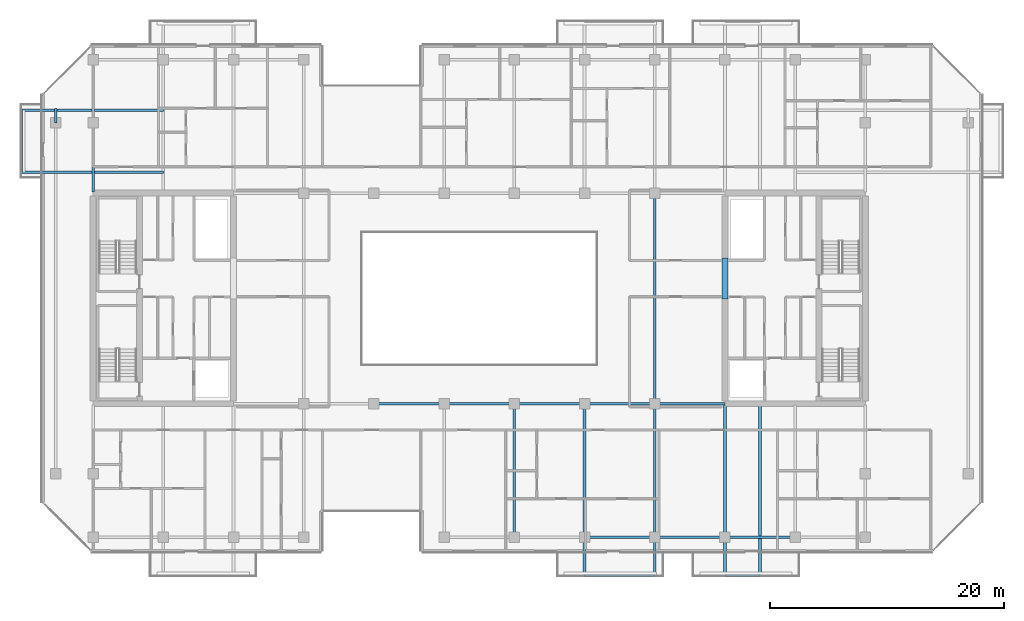
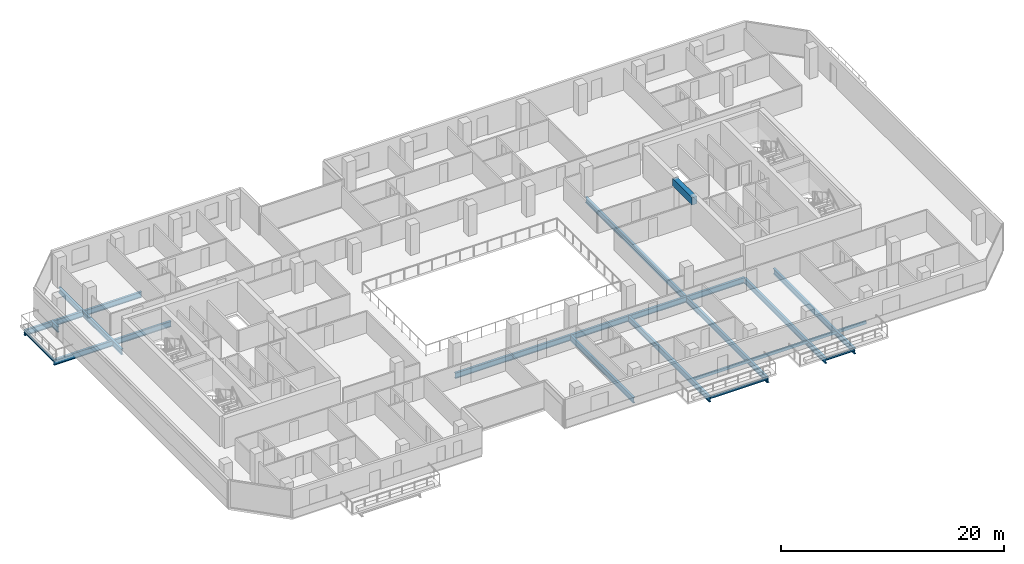
# One storey, part 7 of 29: 22 beams.
"""IFC4 building model written with IfcOpenShell, lengths in metres."""

from ifc_helpers import new_model, si_unit, direction, frame, origin, origin_2d, place, context, subcontext, project, spatial, rectangle, hollow_rectangle, i_section, extrude, material, material_profile, profile_set, type_object, element, save


model = new_model("IFC4")

# Units and contexts
model_context = context("Model", 3, precision=1e-05, world=origin(), true_north=direction((0.0, 1.0)))
body_context = subcontext(model_context, "Body", "Model", "MODEL_VIEW")
ifc_project = project(units=[si_unit("LENGTHUNIT", "METRE"), si_unit("AREAUNIT", "SQUARE_METRE"), si_unit("VOLUMEUNIT", "CUBIC_METRE"), si_unit("PLANEANGLEUNIT", "RADIAN"), si_unit("MASSUNIT", "GRAM", prefix="KILO")], contexts=[model_context])

# Site, building, storey
site_placement = place(None, origin())
site = spatial("IfcSite", under=ifc_project, at=site_placement, CompositionType="ELEMENT")
building_placement = place(site_placement, origin())
building = spatial("IfcBuilding", under=site, at=building_placement, Name="Tanjung Sevakor Pilgrim Tower", CompositionType="ELEMENT")
storey_placement = place(building_placement, frame((0.0, 0.0, 151.800048828125)))
storey = spatial("IfcBuildingStorey", under=building, at=storey_placement, Name="L42", CompositionType="ELEMENT", Elevation=151.800048828125)

# Beams
ifc_material_1 = material(Name="Steel S355J2", Category="steel")
ifc_material_profile_1 = material_profile(ifc_material_1, i_section(OverallWidth=0.230224609375, OverallDepth=0.6171875, WebThickness=0.01318359375, FlangeThickness=0.022216796875, FilletRadius=0.0126953125, at=origin_2d()))
ifc_profile_set_1 = profile_set([ifc_material_profile_1], Name="Steel S355J2")
beam_type_1 = type_object("IfcBeamType", Name="BM-B-G3-UB_610x229x140", PredefinedType="BEAM", material=ifc_profile_set_1)
for number, where, z_axis, x_axis, name in (
    (1, (48.0, 24.60009765625, -0.528564453125), (1.0, 0.0, 0.0), (0.0, 1.0, 0.0), "L42 Primary Floor Girder MAIN Y246-03"),
    (2, (54.0, 24.60009765625, -0.528564453125), (1.0, 0.0, 0.0), (0.0, 1.0, 0.0), "L42 Primary Floor Girder MAIN Y246-04"),
    (3, (60.0, 24.60009765625, -0.528564453125), (1.0, 0.0, 0.0), (0.0, 1.0, 0.0), "L42 Primary Floor Girder MAIN Y246-05"),
    (4, (66.0, 24.60009765625, -0.528564453125), (1.0, 0.0, 0.0), (0.0, 1.0, 0.0), "L42 Primary Floor Girder MAIN Y246-06"),
    (5, (72.0, 24.60009765625, -0.528564453125), (1.0, 0.0, 0.0), (0.0, 1.0, 0.0), "L42 Primary Floor Girder MAIN Y246-07"),
):
    element("IfcBeam", number, at=place(storey_placement, frame(where, z_axis=z_axis, x_axis=x_axis)), inside=storey, type_object=beam_type_1, Name=name, PredefinedType="BEAM", context=body_context, shape_type="SweptSolid", body=[
        extrude(i_section(OverallWidth=0.230224609375, OverallDepth=0.6171875, WebThickness=0.01318359375, FlangeThickness=0.022216796875, FilletRadius=0.0126953125, at=origin_2d()), origin(), (0.0, 0.0, 1.0), 6.0),
    ])
ifc_material_2 = material(Name="Steel S355J2", Category="steel")
ifc_material_profile_2 = material_profile(ifc_material_2, i_section(OverallWidth=0.22900390625, OverallDepth=0.6123046875, WebThickness=0.011962890625, FlangeThickness=0.01953125, FilletRadius=0.0126953125, at=origin_2d()))
ifc_profile_set_2 = profile_set([ifc_material_profile_2], Name="Steel S355J2")
beam_type_2 = type_object("IfcBeamType", Name="BM-B-G4-UB_610x229x125", PredefinedType="BEAM", material=ifc_profile_set_2)
beam_1_placement = place(storey_placement, frame((20.800048828125, 48.60009765625, -0.526123046875), z_axis=(0.0, 1.0, 0.0), x_axis=(-1.0, 0.0, 0.0)))
element("IfcBeam", 6, at=beam_1_placement, inside=storey, type_object=beam_type_2, Name="L42 Short-End Edge Extension N-W", PredefinedType="BEAM", context=body_context, shape_type="SweptSolid", body=[
    extrude(i_section(OverallWidth=0.22900390625, OverallDepth=0.6123046875, WebThickness=0.011962890625, FlangeThickness=0.01953125, FilletRadius=0.0126953125, at=origin_2d()), origin(), (0.0, 0.0, 1.0), 1.25),
])
for number, where, z_axis, x_axis, name in (
    (7, (30.0, 44.39990234375, -0.526123046875), (-1.0, 0.0, 0.0), (0.0, -1.0, 0.0), "L42 Balcony Overhanging Beam MAIN-W1-1"),
    (8, (30.0, 49.699951171875, -0.526123046875), (-1.0, 0.0, 0.0), (0.0, -1.0, 0.0), "L42 Balcony Overhanging Beam MAIN-W1-2"),
):
    element("IfcBeam", number, at=place(storey_placement, frame(where, z_axis=z_axis, x_axis=x_axis)), inside=storey, type_object=beam_type_2, Name=name, PredefinedType="BEAM", context=body_context, shape_type="SweptSolid", body=[
        extrude(i_section(OverallWidth=0.22900390625, OverallDepth=0.6123046875, WebThickness=0.011962890625, FlangeThickness=0.01953125, FilletRadius=0.0126953125, at=origin_2d()), origin(), (0.0, 0.0, 1.0), 12.1298828125),
    ])
beam_2_placement = place(storey_placement, frame((24.0, 42.715087890625, -0.526123046875), z_axis=(0.0, 1.0, 0.0), x_axis=(-1.0, 0.0, 0.0)))
element("IfcBeam", 9, at=beam_2_placement, inside=storey, type_object=beam_type_2, Name="L42 MAIN Girder 002", PredefinedType="BEAM", context=body_context, shape_type="SweptSolid", body=[
    extrude(i_section(OverallWidth=0.22900390625, OverallDepth=0.6123046875, WebThickness=0.011962890625, FlangeThickness=0.01953125, FilletRadius=0.0126953125, at=origin_2d()), origin(), (0.0, 0.0, 1.0), 11.284912109375),
])
beam_3_placement = place(storey_placement, frame((60.0, 13.199951171875, -0.526123046875), z_axis=(0.0, 1.0, 0.0), x_axis=(-1.0, 0.0, 0.0)))
element("IfcBeam", 10, at=beam_3_placement, inside=storey, type_object=beam_type_2, Name="L42 MAIN Girder 008", PredefinedType="BEAM", context=body_context, shape_type="SweptSolid", body=[
    extrude(i_section(OverallWidth=0.22900390625, OverallDepth=0.6123046875, WebThickness=0.011962890625, FlangeThickness=0.01953125, FilletRadius=0.0126953125, at=origin_2d()), origin(), (0.0, 0.0, 1.0), 11.400146484375),
])
for number, where, z_axis, x_axis, name in (
    (11, (66.0, 24.60009765625, -0.526123046875), (0.0, -1.0, 0.0), (1.0, 0.0, 0.0), "L42 Balcony Cantilever Beam MAIN-S2-1"),
    (12, (72.0, 24.60009765625, -0.526123046875), (0.0, -1.0, 0.0), (1.0, 0.0, 0.0), "L42 Balcony Cantilever Beam MAIN-S2-2"),
):
    element("IfcBeam", number, at=place(storey_placement, frame(where, z_axis=z_axis, x_axis=x_axis)), inside=storey, type_object=beam_type_2, Name=name, PredefinedType="BEAM", context=body_context, shape_type="SweptSolid", body=[
        extrude(i_section(OverallWidth=0.22900390625, OverallDepth=0.6123046875, WebThickness=0.011962890625, FlangeThickness=0.01953125, FilletRadius=0.0126953125, at=origin_2d()), origin(), (0.0, 0.0, 1.0), 14.68017578125),
    ])
beam_4_placement = place(storey_placement, frame((72.0, 24.60009765625, -0.526123046875), z_axis=(0.0, 1.0, 0.0), x_axis=(-1.0, 0.0, 0.0)))
element("IfcBeam", 13, at=beam_4_placement, inside=storey, type_object=beam_type_2, Name="L42 MAIN Girder 010", PredefinedType="BEAM", context=body_context, shape_type="SweptSolid", body=[
    extrude(i_section(OverallWidth=0.22900390625, OverallDepth=0.6123046875, WebThickness=0.011962890625, FlangeThickness=0.01953125, FilletRadius=0.0126953125, at=origin_2d()), origin(), (0.0, 0.0, 1.0), 18.0),
])
for number, where, z_axis, x_axis, name in (
    (14, (78.0, 24.48486328125, -0.526123046875), (0.0, -1.0, 0.0), (1.0, 0.0, 0.0), "L42 Balcony Cantilever Beam MAIN-S3-1"),
    (15, (81.0, 24.48486328125, -0.526123046875), (0.0, -1.0, 0.0), (1.0, 0.0, 0.0), "L42 Balcony Cantilever Beam MAIN-S3-2"),
):
    element("IfcBeam", number, at=place(storey_placement, frame(where, z_axis=z_axis, x_axis=x_axis)), inside=storey, type_object=beam_type_2, Name=name, PredefinedType="BEAM", context=body_context, shape_type="SweptSolid", body=[
        extrude(i_section(OverallWidth=0.22900390625, OverallDepth=0.6123046875, WebThickness=0.011962890625, FlangeThickness=0.01953125, FilletRadius=0.0126953125, at=origin_2d()), origin(), (0.0, 0.0, 1.0), 14.56494140625),
    ])
ifc_material_3 = material(Name="Steel S355J2", Category="steel")
ifc_material_profile_3 = material_profile(ifc_material_3, i_section(OverallWidth=0.146484375, OverallDepth=0.256103515625, WebThickness=0.00634765625, FlangeThickness=0.010986328125, FilletRadius=0.007568359375, at=origin_2d()))
ifc_profile_set_3 = profile_set([ifc_material_profile_3], Name="Steel S355J2")
beam_type_3 = type_object("IfcBeamType", Name="BM-B-J6-UB_254x146x37", PredefinedType="JOIST", material=ifc_profile_set_3)
beam_5_placement = place(storey_placement, frame((66.0, 9.919921875, -0.328125), z_axis=(1.0, 0.0, 0.0), x_axis=(0.0, 1.0, 0.0)))
element("IfcBeam", 16, at=beam_5_placement, inside=storey, type_object=beam_type_3, Name="L42 Balcony Rim Tie MAIN-S2", PredefinedType="JOIST", context=body_context, shape_type="SweptSolid", body=[
    extrude(i_section(OverallWidth=0.146484375, OverallDepth=0.256103515625, WebThickness=0.00634765625, FlangeThickness=0.010986328125, FilletRadius=0.007568359375, at=origin_2d()), origin(), (0.0, 0.0, 1.0), 6.0),
])
beam_6_placement = place(storey_placement, frame((78.0, 9.919921875, -0.328125), z_axis=(1.0, 0.0, 0.0), x_axis=(0.0, 1.0, 0.0)))
element("IfcBeam", 17, at=beam_6_placement, inside=storey, type_object=beam_type_3, Name="L42 Balcony Rim Tie MAIN-S3", PredefinedType="JOIST", context=body_context, shape_type="SweptSolid", body=[
    extrude(i_section(OverallWidth=0.146484375, OverallDepth=0.256103515625, WebThickness=0.00634765625, FlangeThickness=0.010986328125, FilletRadius=0.007568359375, at=origin_2d()), origin(), (0.0, 0.0, 1.0), 3.0),
])
beam_7_placement = place(storey_placement, frame((17.8701171875, 44.39990234375, -0.328125), z_axis=(0.0, 1.0, 0.0), x_axis=(-1.0, 0.0, 0.0)))
element("IfcBeam", 18, at=beam_7_placement, inside=storey, type_object=beam_type_3, Name="L42 Balcony Rim Tie MAIN-W1", PredefinedType="JOIST", context=body_context, shape_type="SweptSolid", body=[
    extrude(i_section(OverallWidth=0.146484375, OverallDepth=0.256103515625, WebThickness=0.00634765625, FlangeThickness=0.010986328125, FilletRadius=0.007568359375, at=origin_2d()), origin(), (0.0, 0.0, 1.0), 5.300048828125),
])
ifc_material_4 = material(Name="Concrete C60/75", Category="concrete")
ifc_material_profile_4 = material_profile(ifc_material_4, rectangle(XDim=0.5, YDim=0.800048828125, at=origin_2d()))
ifc_profile_set_4 = profile_set([ifc_material_profile_4], Name="Concrete C60/75")
beam_type_4 = type_object("IfcBeamType", Name="BM-B-LN2-RC-BM_500x800", PredefinedType="LINTEL", material=ifc_profile_set_4)
beam_8_placement = place(storey_placement, frame((78.0, 33.550048828125, 2.679931640625), z_axis=(0.0, 1.0, 0.0), x_axis=(-1.0, 0.0, 0.0)))
element("IfcBeam", 19, at=beam_8_placement, inside=storey, type_object=beam_type_4, Name="L42 E Core Coupling Lintel", PredefinedType="LINTEL", context=body_context, shape_type="SweptSolid", body=[
    extrude(rectangle(XDim=0.5, YDim=0.800048828125, at=origin_2d()), origin(), (0.0, 0.0, 1.0), 3.5),
])
ifc_material_5 = material(Name="Steel S355J2", Category="steel")
ifc_material_profile_5 = material_profile(ifc_material_5, hollow_rectangle(XDim=0.199951171875, YDim=0.300048828125, WallThickness=0.012451171875, at=origin_2d()))
ifc_profile_set_5 = profile_set([ifc_material_profile_5], Name="Steel S355J2")
beam_type_5 = type_object("IfcBeamType", Name="BM-B-SP3-RHS_300x200x12.5", PredefinedType="SPANDREL", material=ifc_profile_set_5)
for number, where, z_axis, x_axis, name in (
    (20, (66.0, 13.199951171875, -0.3701171875), (1.0, 0.0, 0.0), (0.0, 1.0, 0.0), "L42 Spandrel MAIN S-11"),
    (21, (72.0, 13.199951171875, -0.3701171875), (1.0, 0.0, 0.0), (0.0, 1.0, 0.0), "L42 Spandrel MAIN S-13"),
    (22, (78.0, 13.199951171875, -0.3701171875), (1.0, 0.0, 0.0), (0.0, 1.0, 0.0), "L42 Spandrel MAIN S-15"),
):
    element("IfcBeam", number, at=place(storey_placement, frame(where, z_axis=z_axis, x_axis=x_axis)), inside=storey, type_object=beam_type_5, Name=name, PredefinedType="SPANDREL", context=body_context, shape_type="SweptSolid", body=[
        extrude(hollow_rectangle(XDim=0.199951171875, YDim=0.300048828125, WallThickness=0.012451171875, at=origin_2d()), origin(), (0.0, 0.0, 1.0), 6.0),
    ])

save(model, "model.ifc")
